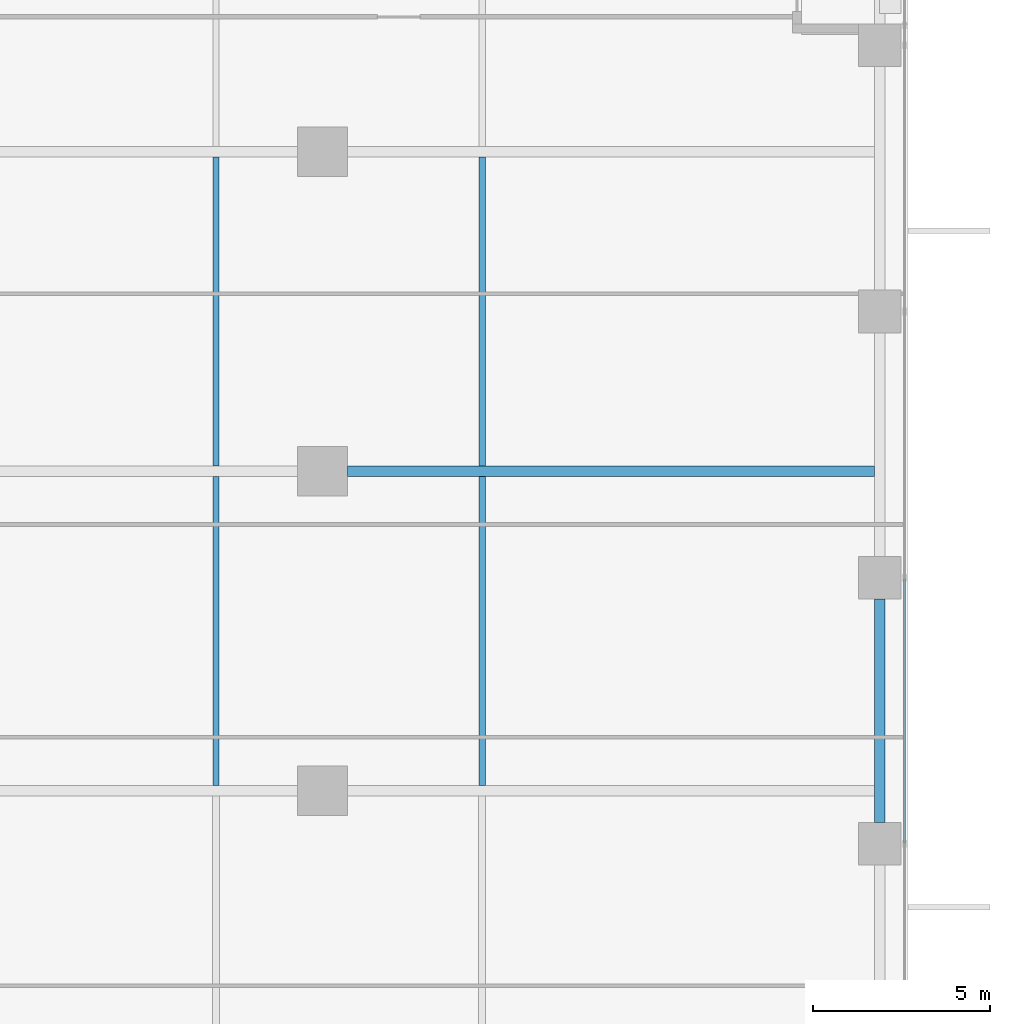
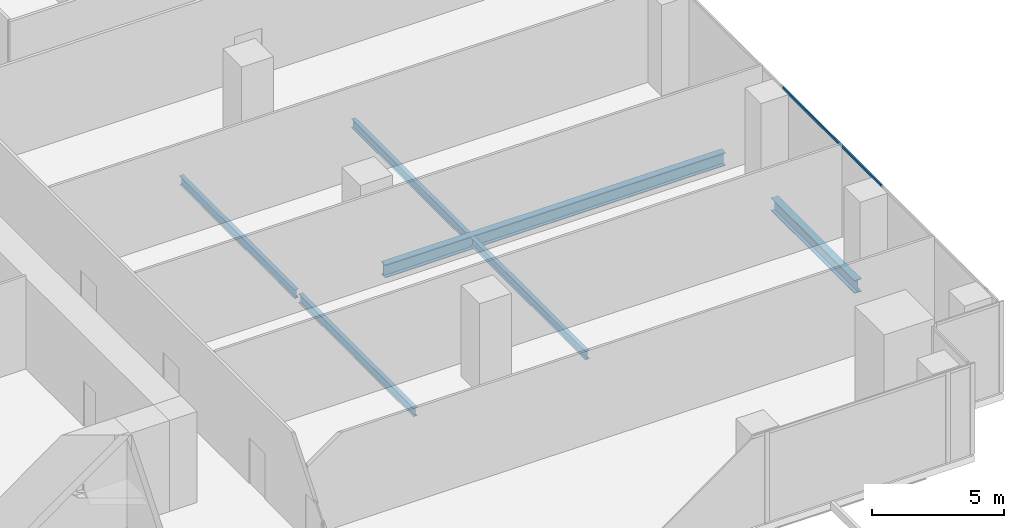
# One storey, part 10 of 32: 6 beams, 1 member, 1 element without a shape of its own.
"""IFC4 building model written with IfcOpenShell, lengths in metres."""

from ifc_helpers import new_model, si_unit, direction, frame, origin, origin_2d, place, context, subcontext, project, spatial, hollow_rectangle, i_section, extrude, source, transform, mapped, material, material_profile, profile_set, type_object, element, aggregate, save


model = new_model("IFC4")

# Units and contexts
model_context = context("Model", 3, precision=1e-05, world=origin(), true_north=direction((0.0, 1.0)))
body_context = subcontext(model_context, "Body", "Model", "MODEL_VIEW")
ifc_project = project(units=[si_unit("LENGTHUNIT", "METRE"), si_unit("AREAUNIT", "SQUARE_METRE"), si_unit("VOLUMEUNIT", "CUBIC_METRE"), si_unit("PLANEANGLEUNIT", "RADIAN"), si_unit("MASSUNIT", "GRAM", prefix="KILO")], contexts=[model_context])

# Site, building, storey
site_placement = place(None, origin())
site = spatial("IfcSite", under=ifc_project, at=site_placement, CompositionType="ELEMENT")
building_placement = place(site_placement, origin())
building = spatial("IfcBuilding", under=site, at=building_placement, Name="Khomas Fold Tower", CompositionType="ELEMENT")
storey_placement = place(building_placement, frame((0.0, 0.0, 64.5)))
storey = spatial("IfcBuildingStorey", under=building, at=storey_placement, Name="L13", CompositionType="ELEMENT", Elevation=64.5)

# Beams
ifc_material_1 = material(Name="Steel S355", Category="steel")
ifc_material_profile_1 = material_profile(ifc_material_1, i_section(OverallWidth=0.179931640625, OverallDepth=0.39990234375, WebThickness=0.008544921875, FlangeThickness=0.013427734375, at=origin_2d()), Name="IPE 400")
ifc_profile_set_1 = profile_set([ifc_material_profile_1], Name="Steel S355")
beam_type_1 = type_object("IfcBeamType", Name="IPE 400 beam JB3", PredefinedType="BEAM", material=ifc_profile_set_1)
shared_shape_1 = source(origin(), body_context, "Body", "SweptSolid", [
    extrude(i_section(OverallWidth=0.179931640625, OverallDepth=0.39990234375, WebThickness=0.008544921875, FlangeThickness=0.013427734375, at=origin_2d()), origin(), (0.0, 0.0, 1.0), 8.7001953125),
])
for number, where, z_axis, x_axis, name in (
    (1, (34.5, 13.64990234375, -0.5), (0.0, 1.0, 0.0), (-1.0, 0.0, 0.0), "JB3"),
    (2, (34.5, 22.64990234375, -0.5), (0.0, 1.0, 0.0), (-1.0, 0.0, 0.0), "JB3"),
    (3, (42.0, 13.64990234375, -0.5), (0.0, 1.0, 0.0), (-1.0, 0.0, 0.0), "JB3"),
    (4, (42.0, 22.64990234375, -0.5), (0.0, 1.0, 0.0), (-1.0, 0.0, 0.0), "JB3"),
):
    element("IfcBeam", number, at=place(storey_placement, frame(where, z_axis=z_axis, x_axis=x_axis)), inside=storey, type_object=beam_type_1, Name=name, PredefinedType="BEAM", context=body_context, shape_type="MappedRepresentation", body=[
        mapped(shared_shape_1, transform((0.0, 0.0, 0.0))),
    ])
ifc_material_2 = material(Name="Steel S355", Category="steel")
ifc_material_profile_2 = material_profile(ifc_material_2, i_section(OverallWidth=0.300048828125, OverallDepth=0.60009765625, WebThickness=0.015380859375, FlangeThickness=0.030029296875, at=origin_2d()), Name="HE 600 B")
ifc_profile_set_2 = profile_set([ifc_material_profile_2], Name="Steel S355")
beam_type_2 = type_object("IfcBeamType", Name="HE 600 B spandrel SB1", PredefinedType="SPANDREL", material=ifc_profile_set_2)
shared_shape_2 = source(origin(), body_context, "Body", "SweptSolid", [
    extrude(i_section(OverallWidth=0.300048828125, OverallDepth=0.60009765625, WebThickness=0.015380859375, FlangeThickness=0.030029296875, at=origin_2d()), origin(), (0.0, 0.0, 1.0), 6.2998046875),
])
beam_1_placement = place(storey_placement, frame((53.199951171875, 12.60009765625, -0.60009765625), z_axis=(0.0, 1.0, 0.0), x_axis=(-1.0, 0.0, 0.0)))
element("IfcBeam", 5, at=beam_1_placement, inside=storey, type_object=beam_type_2, Name="SB1", PredefinedType="SPANDREL", context=body_context, shape_type="MappedRepresentation", body=[
    mapped(shared_shape_2, transform((0.0, 0.0, 0.0))),
])
ifc_material_3 = material(Name="Steel S355", Category="steel")
ifc_material_profile_3 = material_profile(ifc_material_3, i_section(OverallWidth=0.300048828125, OverallDepth=0.60009765625, WebThickness=0.015380859375, FlangeThickness=0.030029296875, at=origin_2d()), Name="HE 600 B")
ifc_profile_set_3 = profile_set([ifc_material_profile_3], Name="Steel S355")
beam_type_3 = type_object("IfcBeamType", Name="HE 600 B beam GB5", PredefinedType="BEAM", material=ifc_profile_set_3)
shared_shape_3 = source(origin(), body_context, "Body", "SweptSolid", [
    extrude(i_section(OverallWidth=0.300048828125, OverallDepth=0.60009765625, WebThickness=0.015380859375, FlangeThickness=0.030029296875, at=origin_2d()), origin(), (0.0, 0.0, 1.0), 14.85009765625),
])
beam_2_placement = place(storey_placement, frame((38.199951171875, 22.5, -0.60009765625), z_axis=(1.0, 0.0, 0.0), x_axis=(0.0, 1.0, 0.0)))
element("IfcBeam", 6, at=beam_2_placement, inside=storey, type_object=beam_type_3, Name="GB5", PredefinedType="BEAM", context=body_context, shape_type="MappedRepresentation", body=[
    mapped(shared_shape_3, transform((0.0, 0.0, 0.0))),
])

# Curtain wall, member
ifc_material_4 = material(Name="Aluminium framed double glazing", Category="aluminium")
curtain_wall_type = type_object("IfcCurtainWallType", Name="SK-Unitised clear-glass wall, growing floors CW1", PredefinedType="NOTDEFINED", material=ifc_material_4)
curtain_wall_placement = place(storey_placement, origin())
curtain_wall = element("IfcCurtainWall", 7, at=curtain_wall_placement, inside=storey, type_object=curtain_wall_type, Name="CW1 run L13 03-0", PredefinedType="NOTDEFINED")
ifc_material_5 = material(Name="Aluminium", Category="aluminium")
ifc_material_profile_4 = material_profile(ifc_material_5, hollow_rectangle(XDim=0.06005859375, YDim=0.1201171875, WallThickness=0.00390625, at=origin_2d()), Name="SK-Unitised clear-glass wall, growing floors transom CW1-T")
ifc_profile_set_4 = profile_set([ifc_material_profile_4], Name="Aluminium")
member_type = type_object("IfcMemberType", Name="SK-Unitised clear-glass wall, growing floors transom CW1-T", PredefinedType="USERDEFINED", material=ifc_profile_set_4)
shared_shape_4 = source(origin(), body_context, "Body", "SweptSolid", [
    extrude(hollow_rectangle(XDim=0.06005859375, YDim=0.1201171875, WallThickness=0.00390625, at=origin_2d()), origin(), (0.0, 0.0, 1.0), 7.43994140625),
])
member_placement = place(storey_placement, frame((53.89990234375, 12.030029296875, 4.139892578125), z_axis=(0.0, 1.0, 0.0), x_axis=(-1.0, 0.0, 0.0)))
member = element("IfcMember", 8, at=member_placement, type_object=member_type, Name="CW1 transom 3", ObjectType="TRANSOM", PredefinedType="USERDEFINED", context=body_context, shape_type="MappedRepresentation", body=[
    mapped(shared_shape_4, transform((0.0, 0.0, 0.0))),
])
aggregate(curtain_wall, [member])

save(model, "model.ifc")
